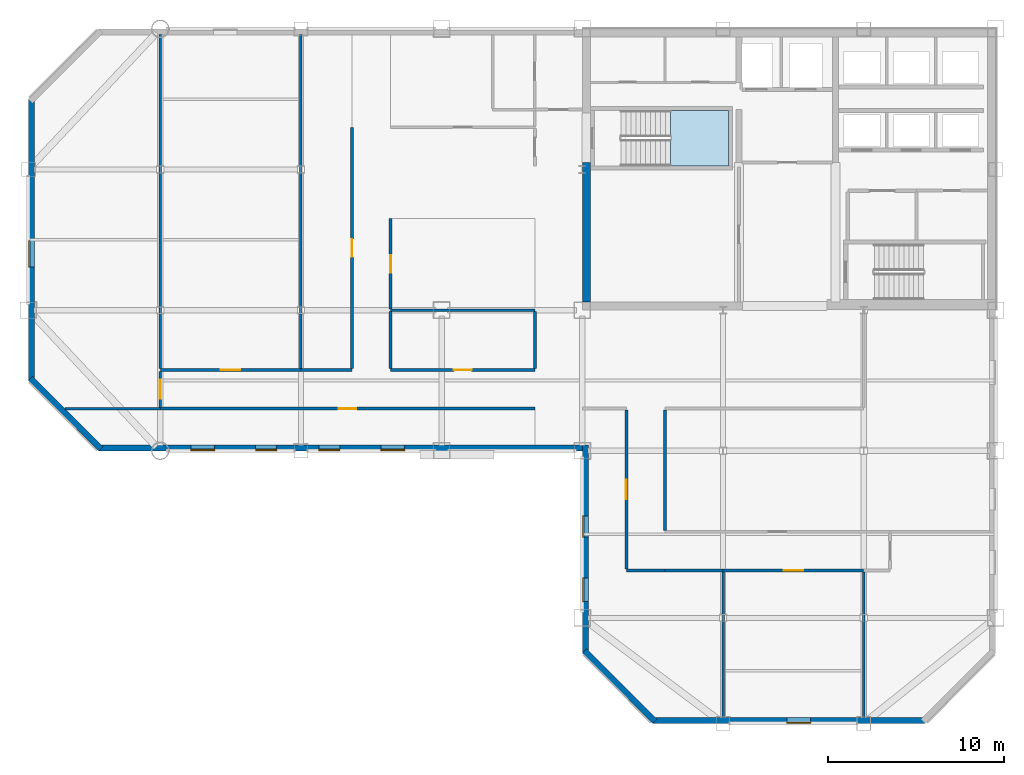
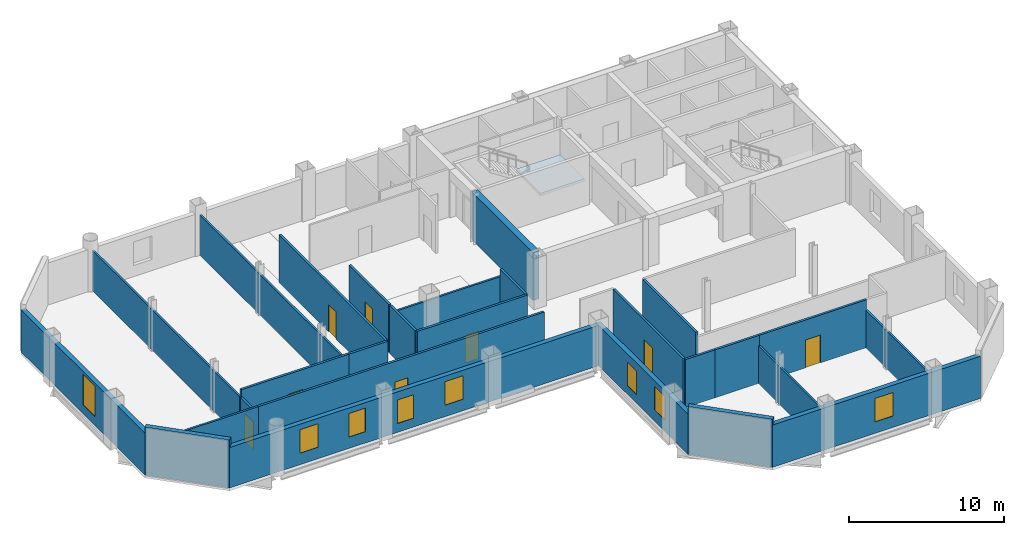
# One storey, part 4 of 10: 27 walls, 8 doors, 8 windows, 1 slab, 16 openings, 1 element without a shape of its own.
"""IFC4 building model written with IfcOpenShell, lengths in metres."""

from ifc_helpers import new_model, si_unit, direction, frame, frame_2d, origin, place, context, subcontext, project, spatial, polyline, rectangle, outline, extrude, material, layer, layer_set, type_object, element, fill, aggregate, save


model = new_model("IFC4")

# Units and contexts
model_context = context("Model", 3, precision=1e-05, world=origin(), true_north=direction((0.0, 1.0)))
body_context = subcontext(model_context, "Body", "Model", "MODEL_VIEW")
ifc_project = project(units=[si_unit("LENGTHUNIT", "METRE"), si_unit("AREAUNIT", "SQUARE_METRE"), si_unit("VOLUMEUNIT", "CUBIC_METRE"), si_unit("PLANEANGLEUNIT", "RADIAN"), si_unit("MASSUNIT", "GRAM", prefix="KILO")], contexts=[model_context])

# Site, building, storey
site_placement = place(None, origin())
site = spatial("IfcSite", under=ifc_project, at=site_placement, CompositionType="ELEMENT")
building_placement = place(site_placement, origin())
building = spatial("IfcBuilding", under=site, at=building_placement, Name="Qianrong Seaharbour Tower", CompositionType="ELEMENT")
storey_placement = place(building_placement, frame((0.0, 0.0, 217.800048828125)))
storey = spatial("IfcBuildingStorey", under=building, at=storey_placement, Name="L52", CompositionType="ELEMENT", Elevation=217.800048828125)

# Stair, slab
ifc_material_1 = material(Name="Concrete C50/60", Category="concrete")
stair_type = type_object("IfcStairType", Name="STAIR-DOGLEG-1500-R22", PredefinedType="HALF_TURN_STAIR", material=ifc_material_1)
stair_placement = place(storey_placement, origin())
stair = element("IfcStair", 1, at=stair_placement, inside=storey, type_object=stair_type, Name="L52 Protected Escape Stair ST-1", PredefinedType="HALF_TURN_STAIR")
ifc_layer_1 = layer(ifc_material_1, 0.199951171875)
ifc_layer_set_1 = layer_set([ifc_layer_1], Name="Concrete C50/60")
slab_type = type_object("IfcSlabType", Name="SLAB-STAIR-LANDING-200", PredefinedType="LANDING", material=ifc_layer_set_1)
slab_placement = place(storey_placement, frame((0.0, 0.0, 1.800048828125)))
slab = element("IfcSlab", 2, at=slab_placement, type_object=slab_type, Name="ST-1 landing 1", PredefinedType="LANDING", context=body_context, shape_type="SweptSolid", body=[
    extrude(outline(polyline([(45.5, 44.199951171875), (48.800048828125, 44.199951171875), (48.800048828125, 47.35009765625), (45.5, 47.35009765625), (45.5, 44.199951171875)])), origin(), (0.0, 0.0, 1.0), 0.199951171875),
])
aggregate(stair, [slab])

# Wall
ifc_material_2 = material(Name="Concrete C60/75", Category="concrete")
ifc_layer_2 = layer(ifc_material_2, 0.4599609375)
ifc_layer_set_2 = layer_set([ifc_layer_2], Name="Concrete C60/75")
wall_type_1 = type_object("IfcWallType", Name="WALL-CORE-460", PredefinedType="SHEAR", material=ifc_layer_set_2)
wall_1_placement = place(storey_placement, frame((40.72998046875, 36.4599609375, 0.0), z_axis=(0.0, 0.0, 1.0), x_axis=(0.0, 1.0, 0.0)))
element("IfcWall", 3, at=wall_1_placement, inside=storey, type_object=wall_type_1, Name="L52 West Core Shear Wall South", PredefinedType="SHEAR", context=body_context, shape_type="SweptSolid", body=[
    extrude(rectangle(XDim=7.93994140625, YDim=0.4599609375, at=frame_2d((3.969970703125, 0.0))), origin(), (0.0, 0.0, 1.0), 3.77490234375),
])

# Wall, opening, door
ifc_material_3 = material(Name="Fire-rated acoustic gypsum board partition")
ifc_layer_3 = layer(ifc_material_3, 0.1650390625)
ifc_layer_set_3 = layer_set([ifc_layer_3], Name="Fire-rated acoustic gypsum board partition")
wall_type_2 = type_object("IfcWallType", Name="WALL-CORR-PART-165", PredefinedType="PARTITIONING", material=ifc_layer_set_3)
wall_2_placement = place(storey_placement, frame((37.800048828125, 30.39990234375, 0.0), z_axis=(0.0, 0.0, 1.0), x_axis=(-1.0, 0.0, 0.0)))
wall_2 = element("IfcWall", 4, at=wall_2_placement, inside=storey, type_object=wall_type_2, Name="L52 Interior Partition Wall 016", PredefinedType="PARTITIONING", context=body_context, shape_type="SweptSolid", body=[
    extrude(rectangle(XDim=21.300048828125, YDim=0.1650390625, at=frame_2d((10.64990234375, 0.0))), origin(), (0.0, 0.0, 1.0), 3.77490234375),
])
opening_1_placement = place(wall_2_placement, frame((10.14990234375, 0.0, 0.0)))
opening_1 = element("IfcOpeningElement", 5, at=opening_1_placement, cuts=wall_2, Name="Opening DO-01", PredefinedType="OPENING", context=body_context, shape_type="SweptSolid", body=[
    extrude(rectangle(XDim=1.0, YDim=2.14990234375, at=frame_2d((0.5, 1.074951171875))), frame((0.0, 0.092529296875, 0.0), z_axis=(0.0, -1.0, 0.0), x_axis=(1.0, 0.0, 0.0)), (0.0, 0.0, 1.0), 0.18505859375),
])
ifc_material_4 = material(Name="Acoustic timber and galvanized steel fire door assembly", Category="steel")
door_type_1 = type_object("IfcDoorType", Name="DOOR-OFFICE-1000x2150", OperationType="NOTDEFINED", PredefinedType="DOOR", material=ifc_material_4)
door_1_placement = place(opening_1_placement, origin())
door_1 = element("IfcDoor", 6, at=door_1_placement, inside=storey, type_object=door_type_1, Name="L52 West Spine Open-Plan Office Door", OperationType="SINGLE_SWING_RIGHT", OverallHeight=2.14990234375, OverallWidth=1.0, PredefinedType="DOOR", context=body_context, shape_type="SweptSolid", body=[
    extrude(rectangle(XDim=1.0, YDim=2.14990234375, at=frame_2d((0.5, 1.074951171875))), frame((0.0, 0.02490234375, 0.0), z_axis=(0.0, -1.0, 0.0), x_axis=(1.0, 0.0, 0.0)), (0.0, 0.0, 1.0), 0.050048828125),
])
fill(opening_1, door_1)

wall_3_placement = place(storey_placement, frame((16.5, 30.474609375, 0.0), z_axis=(0.0, 0.0, 1.0), x_axis=(0.0, 1.0, 0.0)))
wall_3 = element("IfcWall", 7, at=wall_3_placement, inside=storey, type_object=wall_type_2, Name="L52 Interior Partition Wall 017", PredefinedType="PARTITIONING", context=body_context, shape_type="SweptSolid", body=[
    extrude(rectangle(XDim=2.05078125, YDim=0.1650390625, at=frame_2d((1.025390625, 0.0))), origin(), (0.0, 0.0, 1.0), 3.178955078125),
])
opening_2_placement = place(wall_3_placement, frame((0.4755859375, 0.0, 0.0)))
opening_2 = element("IfcOpeningElement", 8, at=opening_2_placement, cuts=wall_3, Name="Opening DM-01", PredefinedType="OPENING", context=body_context, shape_type="SweptSolid", body=[
    extrude(rectangle(XDim=1.10009765625, YDim=2.199951171875, at=frame_2d((0.550048828125, 1.10009765625))), frame((0.0, 0.092529296875, 0.0), z_axis=(0.0, -1.0, 0.0), x_axis=(1.0, 0.0, 0.0)), (0.0, 0.0, 1.0), 0.18505859375),
])
door_type_2 = type_object("IfcDoorType", Name="DOOR-MEET-1100x2200", OperationType="NOTDEFINED", PredefinedType="DOOR", material=ifc_material_4)
door_2_placement = place(opening_2_placement, origin())
door_2 = element("IfcDoor", 9, at=door_2_placement, inside=storey, type_object=door_type_2, Name="L52 Boardroom 1 Door", OperationType="SINGLE_SWING_LEFT", OverallHeight=2.199951171875, OverallWidth=1.10009765625, PredefinedType="DOOR", context=body_context, shape_type="SweptSolid", body=[
    extrude(rectangle(XDim=1.10009765625, YDim=2.199951171875, at=frame_2d((0.550048828125, 1.10009765625))), frame((0.0, 0.02490234375, 0.0), z_axis=(0.0, -1.0, 0.0), x_axis=(1.0, 0.0, 0.0)), (0.0, 0.0, 1.0), 0.050048828125),
])
fill(opening_2, door_2)

wall_4_placement = place(storey_placement, frame((16.5, 32.60009765625, 0.0), z_axis=(0.0, 0.0, 1.0), x_axis=(1.0, 0.0, 0.0)))
wall_4 = element("IfcWall", 10, at=wall_4_placement, inside=storey, type_object=wall_type_2, Name="L52 Interior Partition Wall 018", PredefinedType="PARTITIONING", context=body_context, shape_type="SweptSolid", body=[
    extrude(rectangle(XDim=8.0, YDim=0.1650390625, at=frame_2d((4.0, 0.0))), origin(), (0.0, 0.0, 1.0), 3.77490234375),
])
opening_3_placement = place(wall_4_placement, frame((3.449951171875, 0.0, 0.0)))
opening_3 = element("IfcOpeningElement", 11, at=opening_3_placement, cuts=wall_4, Name="Opening DM-01", PredefinedType="OPENING", context=body_context, shape_type="SweptSolid", body=[
    extrude(rectangle(XDim=1.10009765625, YDim=2.199951171875, at=frame_2d((0.550048828125, 1.10009765625))), frame((0.0, 0.092529296875, 0.0), z_axis=(0.0, -1.0, 0.0), x_axis=(1.0, 0.0, 0.0)), (0.0, 0.0, 1.0), 0.18505859375),
])
door_3_placement = place(opening_3_placement, origin())
door_3 = element("IfcDoor", 12, at=door_3_placement, inside=storey, type_object=door_type_2, Name="L52 Meeting Room 2 Door", OperationType="SINGLE_SWING_RIGHT", OverallHeight=2.199951171875, OverallWidth=1.10009765625, PredefinedType="DOOR", context=body_context, shape_type="SweptSolid", body=[
    extrude(rectangle(XDim=1.10009765625, YDim=2.199951171875, at=frame_2d((0.550048828125, 1.10009765625))), frame((0.0, 0.02490234375, 0.0), z_axis=(0.0, -1.0, 0.0), x_axis=(1.0, 0.0, 0.0)), (0.0, 0.0, 1.0), 0.050048828125),
])
fill(opening_3, door_3)

# Wall
wall_5_placement = place(storey_placement, frame((24.5, 32.60009765625, 0.0), z_axis=(0.0, 0.0, 1.0), x_axis=(1.0, 0.0, 0.0)))
element("IfcWall", 13, at=wall_5_placement, inside=storey, type_object=wall_type_2, Name="L52 Interior Partition Wall 019", PredefinedType="PARTITIONING", context=body_context, shape_type="SweptSolid", body=[
    extrude(rectangle(XDim=2.89990234375, YDim=0.1650390625, at=frame_2d((1.449951171875, 0.0))), origin(), (0.0, 0.0, 1.0), 3.77490234375),
])

# Wall, opening, door
wall_6_placement = place(storey_placement, frame((29.60009765625, 32.60009765625, 0.0), z_axis=(0.0, 0.0, 1.0), x_axis=(1.0, 0.0, 0.0)))
wall_6 = element("IfcWall", 14, at=wall_6_placement, inside=storey, type_object=wall_type_2, Name="L52 Interior Partition Wall 020", PredefinedType="PARTITIONING", context=body_context, shape_type="SweptSolid", body=[
    extrude(rectangle(XDim=8.199951171875, YDim=0.1650390625, at=frame_2d((4.10009765625, 0.0))), origin(), (0.0, 0.0, 1.0), 3.77490234375),
])
opening_4_placement = place(wall_6_placement, frame((3.60009765625, 0.0, 0.0)))
opening_4 = element("IfcOpeningElement", 15, at=opening_4_placement, cuts=wall_6, Name="Opening DO-01", PredefinedType="OPENING", context=body_context, shape_type="SweptSolid", body=[
    extrude(rectangle(XDim=1.0, YDim=2.14990234375, at=frame_2d((0.5, 1.074951171875))), frame((0.0, 0.092529296875, 0.0), z_axis=(0.0, -1.0, 0.0), x_axis=(1.0, 0.0, 0.0)), (0.0, 0.0, 1.0), 0.18505859375),
])
door_4_placement = place(opening_4_placement, origin())
door_4 = element("IfcDoor", 16, at=door_4_placement, inside=storey, type_object=door_type_1, Name="L52 Harbour Lecture Hall 1 Door", OperationType="SINGLE_SWING_RIGHT", OverallHeight=2.14990234375, OverallWidth=1.0, PredefinedType="DOOR", context=body_context, shape_type="SweptSolid", body=[
    extrude(rectangle(XDim=1.0, YDim=2.14990234375, at=frame_2d((0.5, 1.074951171875))), frame((0.0, 0.02490234375, 0.0), z_axis=(0.0, -1.0, 0.0), x_axis=(1.0, 0.0, 0.0)), (0.0, 0.0, 1.0), 0.050048828125),
])
fill(opening_4, door_4)

wall_7_placement = place(storey_placement, frame((27.39990234375, 32.674560546875, 0.0), z_axis=(0.0, 0.0, 1.0), x_axis=(0.0, 1.0, 0.0)))
wall_7 = element("IfcWall", 17, at=wall_7_placement, inside=storey, type_object=wall_type_2, Name="L52 Interior Partition Wall 021", PredefinedType="PARTITIONING", context=body_context, shape_type="SweptSolid", body=[
    extrude(rectangle(XDim=13.725341796875, YDim=0.1650390625, at=frame_2d((6.86279296875, 0.0))), origin(), (0.0, 0.0, 1.0), 3.77490234375),
])
opening_5_placement = place(wall_7_placement, frame((6.36279296875, 0.0, 0.0)))
opening_5 = element("IfcOpeningElement", 18, at=opening_5_placement, cuts=wall_7, Name="Opening DO-01", PredefinedType="OPENING", context=body_context, shape_type="SweptSolid", body=[
    extrude(rectangle(XDim=1.0, YDim=2.14990234375, at=frame_2d((0.5, 1.074951171875))), frame((0.0, 0.092529296875, 0.0), z_axis=(0.0, -1.0, 0.0), x_axis=(1.0, 0.0, 0.0)), (0.0, 0.0, 1.0), 0.18505859375),
])
door_5_placement = place(opening_5_placement, origin())
door_5 = element("IfcDoor", 19, at=door_5_placement, inside=storey, type_object=door_type_1, Name="L52 Project Library 3 Door", OperationType="SINGLE_SWING_LEFT", OverallHeight=2.14990234375, OverallWidth=1.0, PredefinedType="DOOR", context=body_context, shape_type="SweptSolid", body=[
    extrude(rectangle(XDim=1.0, YDim=2.14990234375, at=frame_2d((0.5, 1.074951171875))), frame((0.0, 0.02490234375, 0.0), z_axis=(0.0, -1.0, 0.0), x_axis=(1.0, 0.0, 0.0)), (0.0, 0.0, 1.0), 0.050048828125),
])
fill(opening_5, door_5)

# Wall
wall_8_placement = place(storey_placement, frame((29.60009765625, 35.935546875, 0.0), z_axis=(0.0, 0.0, 1.0), x_axis=(0.0, -1.0, 0.0)))
element("IfcWall", 20, at=wall_8_placement, inside=storey, type_object=wall_type_2, Name="L52 Interior Partition Wall 022", PredefinedType="PARTITIONING", context=body_context, shape_type="SweptSolid", body=[
    extrude(rectangle(XDim=3.260986328125, YDim=0.1650390625, at=frame_2d((1.63037109375, 0.0))), origin(), (0.0, 0.0, 1.0), 3.77490234375),
])

# Wall, opening, door
wall_9_placement = place(storey_placement, frame((29.60009765625, 41.199951171875, 0.0), z_axis=(0.0, 0.0, 1.0), x_axis=(0.0, -1.0, 0.0)))
wall_9 = element("IfcWall", 21, at=wall_9_placement, inside=storey, type_object=wall_type_2, Name="L52 Interior Partition Wall 023", PredefinedType="PARTITIONING", context=body_context, shape_type="SweptSolid", body=[
    extrude(rectangle(XDim=5.135498046875, YDim=0.1650390625, at=frame_2d((2.56787109375, 0.0))), origin(), (0.0, 0.0, 1.0), 3.77490234375),
])
opening_6_placement = place(wall_9_placement, frame((2.06787109375, 0.0, 0.0)))
opening_6 = element("IfcOpeningElement", 22, at=opening_6_placement, cuts=wall_9, Name="Opening DO-01", PredefinedType="OPENING", context=body_context, shape_type="SweptSolid", body=[
    extrude(rectangle(XDim=1.0, YDim=2.14990234375, at=frame_2d((0.5, 1.074951171875))), frame((0.0, 0.092529296875, 0.0), z_axis=(0.0, -1.0, 0.0), x_axis=(1.0, 0.0, 0.0)), (0.0, 0.0, 1.0), 0.18505859375),
])
door_6_placement = place(opening_6_placement, origin())
door_6 = element("IfcDoor", 23, at=door_6_placement, inside=storey, type_object=door_type_1, Name="L52 Division Conference Gallery 2 Door", OperationType="SINGLE_SWING_LEFT", OverallHeight=2.14990234375, OverallWidth=1.0, PredefinedType="DOOR", context=body_context, shape_type="SweptSolid", body=[
    extrude(rectangle(XDim=1.0, YDim=2.14990234375, at=frame_2d((0.5, 1.074951171875))), frame((0.0, 0.02490234375, 0.0), z_axis=(0.0, -1.0, 0.0), x_axis=(1.0, 0.0, 0.0)), (0.0, 0.0, 1.0), 0.050048828125),
])
fill(opening_6, door_6)

# Walls
wall_10_placement = place(storey_placement, frame((37.800048828125, 32.674560546875, 0.0), z_axis=(0.0, 0.0, 1.0), x_axis=(0.0, 1.0, 0.0)))
element("IfcWall", 24, at=wall_10_placement, inside=storey, type_object=wall_type_2, Name="L52 Interior Partition Wall 027", PredefinedType="PARTITIONING", context=body_context, shape_type="SweptSolid", body=[
    extrude(rectangle(XDim=3.260986328125, YDim=0.1650390625, at=frame_2d((1.63037109375, 0.0))), origin(), (0.0, 0.0, 1.0), 3.77490234375),
])
wall_11_placement = place(storey_placement, frame((45.199951171875, 30.325439453125, 0.0), z_axis=(0.0, 0.0, 1.0), x_axis=(0.0, -1.0, 0.0)))
element("IfcWall", 25, at=wall_11_placement, inside=storey, type_object=wall_type_2, Name="L52 Interior Partition Wall 029", PredefinedType="PARTITIONING", context=body_context, shape_type="SweptSolid", body=[
    extrude(rectangle(XDim=6.850830078125, YDim=0.1650390625, at=frame_2d((3.42529296875, 0.0))), origin(), (0.0, 0.0, 1.0), 3.77490234375),
])
wall_12_placement = place(storey_placement, frame((45.199951171875, 21.199951171875, 0.0), z_axis=(0.0, 0.0, 1.0), x_axis=(-1.0, 0.0, 0.0)))
element("IfcWall", 26, at=wall_12_placement, inside=storey, type_object=wall_type_2, Name="L52 Interior Partition Wall 030", PredefinedType="PARTITIONING", context=body_context, shape_type="SweptSolid", body=[
    extrude(rectangle(XDim=2.199951171875, YDim=0.1650390625, at=frame_2d((1.10009765625, 0.0))), origin(), (0.0, 0.0, 1.0), 3.77490234375),
])

# Wall, opening, door
wall_13_placement = place(storey_placement, frame((43.0, 21.2744140625, 0.0), z_axis=(0.0, 0.0, 1.0), x_axis=(0.0, 1.0, 0.0)))
wall_13 = element("IfcWall", 27, at=wall_13_placement, inside=storey, type_object=wall_type_2, Name="L52 Interior Partition Wall 031", PredefinedType="PARTITIONING", context=body_context, shape_type="SweptSolid", body=[
    extrude(rectangle(XDim=9.051025390625, YDim=0.1650390625, at=frame_2d((4.525390625, 0.0))), origin(), (0.0, 0.0, 1.0), 3.77490234375),
])
opening_7_placement = place(wall_13_placement, frame((3.9755859375, 0.0, 0.0)))
opening_7 = element("IfcOpeningElement", 28, at=opening_7_placement, cuts=wall_13, Name="Opening DM-01", PredefinedType="OPENING", context=body_context, shape_type="SweptSolid", body=[
    extrude(rectangle(XDim=1.10009765625, YDim=2.199951171875, at=frame_2d((0.550048828125, 1.10009765625))), frame((0.0, 0.092529296875, 0.0), z_axis=(0.0, -1.0, 0.0), x_axis=(1.0, 0.0, 0.0)), (0.0, 0.0, 1.0), 0.18505859375),
])
door_7_placement = place(opening_7_placement, origin())
door_7 = element("IfcDoor", 29, at=door_7_placement, inside=storey, type_object=door_type_2, Name="L52 Maritime Seminar Room 1 Door", OperationType="SINGLE_SWING_LEFT", OverallHeight=2.199951171875, OverallWidth=1.10009765625, PredefinedType="DOOR", context=body_context, shape_type="SweptSolid", body=[
    extrude(rectangle(XDim=1.10009765625, YDim=2.199951171875, at=frame_2d((0.550048828125, 1.10009765625))), frame((0.0, 0.02490234375, 0.0), z_axis=(0.0, -1.0, 0.0), x_axis=(1.0, 0.0, 0.0)), (0.0, 0.0, 1.0), 0.050048828125),
])
fill(opening_7, door_7)

# Wall
wall_14_placement = place(storey_placement, frame((48.5, 21.199951171875, 0.0), z_axis=(0.0, 0.0, 1.0), x_axis=(-1.0, 0.0, 0.0)))
element("IfcWall", 30, at=wall_14_placement, inside=storey, type_object=wall_type_2, Name="L52 Interior Partition Wall 033", PredefinedType="PARTITIONING", context=body_context, shape_type="SweptSolid", body=[
    extrude(rectangle(XDim=3.300048828125, YDim=0.1650390625, at=frame_2d((1.64990234375, 0.0))), origin(), (0.0, 0.0, 1.0), 3.77490234375),
])

# Wall, opening, door
wall_15_placement = place(storey_placement, frame((56.5, 21.199951171875, 0.0), z_axis=(0.0, 0.0, 1.0), x_axis=(-1.0, 0.0, 0.0)))
wall_15 = element("IfcWall", 31, at=wall_15_placement, inside=storey, type_object=wall_type_2, Name="L52 Interior Partition Wall 034", PredefinedType="PARTITIONING", context=body_context, shape_type="SweptSolid", body=[
    extrude(rectangle(XDim=8.0, YDim=0.1650390625, at=frame_2d((4.0, 0.0))), origin(), (0.0, 0.0, 1.0), 3.77490234375),
])
opening_8_placement = place(wall_15_placement, frame((3.449951171875, 0.0, 0.0)))
opening_8 = element("IfcOpeningElement", 32, at=opening_8_placement, cuts=wall_15, Name="Opening DM-01", PredefinedType="OPENING", context=body_context, shape_type="SweptSolid", body=[
    extrude(rectangle(XDim=1.10009765625, YDim=2.199951171875, at=frame_2d((0.550048828125, 1.10009765625))), frame((0.0, 0.092529296875, 0.0), z_axis=(0.0, -1.0, 0.0), x_axis=(1.0, 0.0, 0.0)), (0.0, 0.0, 1.0), 0.18505859375),
])
door_8_placement = place(opening_8_placement, origin())
door_8 = element("IfcDoor", 33, at=door_8_placement, inside=storey, type_object=door_type_2, Name="L52 Meeting Room 2 Door", OperationType="SINGLE_SWING_RIGHT", OverallHeight=2.199951171875, OverallWidth=1.10009765625, PredefinedType="DOOR", context=body_context, shape_type="SweptSolid", body=[
    extrude(rectangle(XDim=1.10009765625, YDim=2.199951171875, at=frame_2d((0.550048828125, 1.10009765625))), frame((0.0, 0.02490234375, 0.0), z_axis=(0.0, -1.0, 0.0), x_axis=(1.0, 0.0, 0.0)), (0.0, 0.0, 1.0), 0.050048828125),
])
fill(opening_8, door_8)

# Wall, openings, windows
ifc_material_5 = material(Name="Unitised buff brick on Precast concrete C45/55", Category="masonry")
ifc_layer_4 = layer(ifc_material_5, 0.340087890625)
ifc_layer_set_4 = layer_set([ifc_layer_4], Name="Unitised buff brick on Precast concrete C45/55")
wall_type_3 = type_object("IfcWallType", Name="WALL-EXT-BRICK-BUFF-340", PredefinedType="SOLIDWALL", material=ifc_layer_set_4)
wall_16_placement = place(storey_placement, frame((40.669921875, 16.5, 0.0), z_axis=(0.0, 0.0, 1.0), x_axis=(0.0, 1.0, 0.0)))
wall_16 = element("IfcWall", 34, at=wall_16_placement, inside=storey, type_object=wall_type_3, Name="L52 Exterior Masonry Facade Wall REENTRANT_WEST", PredefinedType="SOLIDWALL", context=body_context, shape_type="SweptSolid", body=[
    extrude(rectangle(XDim=11.840087890625, YDim=0.340087890625, at=frame_2d((5.919921875, 0.0))), origin(), (0.0, 0.0, 1.0), 3.18701171875),
])
opening_9_placement = place(wall_16_placement, frame((2.925048828125, 0.0, 0.89990234375)))
opening_9 = element("IfcOpeningElement", 35, at=opening_9_placement, cuts=wall_16, Name="Opening WN-02", PredefinedType="OPENING", context=body_context, shape_type="SweptSolid", body=[
    extrude(rectangle(XDim=1.35009765625, YDim=1.85009765625, at=frame_2d((0.675048828125, 0.925048828125))), frame((0.0, 0.18017578125, 0.0), z_axis=(0.0, -1.0, 0.0), x_axis=(1.0, 0.0, 0.0)), (0.0, 0.0, 1.0), 0.360107421875),
])
opening_10_placement = place(wall_16_placement, frame((6.60009765625, 0.0, 0.699951171875)))
opening_10 = element("IfcOpeningElement", 36, at=opening_10_placement, cuts=wall_16, Name="Opening WN-01", PredefinedType="OPENING", context=body_context, shape_type="SweptSolid", body=[
    extrude(rectangle(XDim=1.199951171875, YDim=1.85009765625, at=frame_2d((0.60009765625, 0.925048828125))), frame((0.0, 0.18017578125, 0.0), z_axis=(0.0, -1.0, 0.0), x_axis=(1.0, 0.0, 0.0)), (0.0, 0.0, 1.0), 0.360107421875),
])
ifc_material_6 = material(Name="Insulated low-e double glazing in thermally broken aluminium 6063-T6 frame", Category="aluminium")
window_type_1 = type_object("IfcWindowType", Name="WIN-PUNCH-1200x1850", PartitioningType="DOUBLE_PANEL_VERTICAL", PredefinedType="WINDOW", material=ifc_material_6)
window_1_placement = place(opening_10_placement, origin())
window_1 = element("IfcWindow", 37, at=window_1_placement, inside=storey, type_object=window_type_1, Name="L52 Deep-Set Punched Window 00.02", OverallHeight=1.85009765625, OverallWidth=1.199951171875, PartitioningType="DOUBLE_PANEL_VERTICAL", PredefinedType="WINDOW", context=body_context, shape_type="SweptSolid", body=[
    extrude(rectangle(XDim=1.199951171875, YDim=1.85009765625, at=frame_2d((0.60009765625, 0.925048828125))), frame((0.0, 0.150146484375, 0.0), z_axis=(0.0, -1.0, 0.0), x_axis=(1.0, 0.0, 0.0)), (0.0, 0.0, 1.0), 0.06005859375),
])
fill(opening_10, window_1)
window_type_2 = type_object("IfcWindowType", Name="WIN-PUNCH-1350x1850", PartitioningType="DOUBLE_PANEL_VERTICAL", PredefinedType="WINDOW", material=ifc_material_6)
window_2_placement = place(opening_9_placement, origin())
window_2 = element("IfcWindow", 38, at=window_2_placement, inside=storey, type_object=window_type_2, Name="L52 Deep-Set Punched Window 00.01", OverallHeight=1.85009765625, OverallWidth=1.35009765625, PartitioningType="DOUBLE_PANEL_VERTICAL", PredefinedType="WINDOW", context=body_context, shape_type="SweptSolid", body=[
    extrude(rectangle(XDim=1.35009765625, YDim=1.85009765625, at=frame_2d((0.675048828125, 0.925048828125))), frame((0.0, 0.150146484375, 0.0), z_axis=(0.0, -1.0, 0.0), x_axis=(1.0, 0.0, 0.0)), (0.0, 0.0, 1.0), 0.06005859375),
])
fill(opening_9, window_2)

wall_17_placement = place(storey_placement, frame((40.52001953125, 28.169921875, 0.0), z_axis=(0.0, 0.0, 1.0), x_axis=(-1.0, 0.0, 0.0)))
wall_17 = element("IfcWall", 39, at=wall_17_placement, inside=storey, type_object=wall_type_3, Name="L52 Exterior Masonry Facade Wall HARBOUR_RIBBON", PredefinedType="SOLIDWALL", context=body_context, shape_type="SweptSolid", body=[
    extrude(rectangle(XDim=27.52001953125, YDim=0.340087890625, at=frame_2d((13.760009765625, 0.0))), origin(), (0.0, 0.0, 1.0), 3.18701171875),
])
opening_11_placement = place(wall_17_placement, frame((10.125, 0.0, 0.89990234375)))
opening_11 = element("IfcOpeningElement", 40, at=opening_11_placement, cuts=wall_17, Name="Opening WN-02", PredefinedType="OPENING", context=body_context, shape_type="SweptSolid", body=[
    extrude(rectangle(XDim=1.35009765625, YDim=1.85009765625, at=frame_2d((0.675048828125, 0.925048828125))), frame((0.0, 0.18017578125, 0.0), z_axis=(0.0, -1.0, 0.0), x_axis=(1.0, 0.0, 0.0)), (0.0, 0.0, 1.0), 0.360107421875),
])
opening_12_placement = place(wall_17_placement, frame((13.800048828125, 0.0, 0.699951171875)))
opening_12 = element("IfcOpeningElement", 41, at=opening_12_placement, cuts=wall_17, Name="Opening WN-01", PredefinedType="OPENING", context=body_context, shape_type="SweptSolid", body=[
    extrude(rectangle(XDim=1.199951171875, YDim=1.85009765625, at=frame_2d((0.60009765625, 0.925048828125))), frame((0.0, 0.18017578125, 0.0), z_axis=(0.0, -1.0, 0.0), x_axis=(1.0, 0.0, 0.0)), (0.0, 0.0, 1.0), 0.360107421875),
])
opening_13_placement = place(wall_17_placement, frame((17.39990234375, 0.0, 0.89990234375)))
opening_13 = element("IfcOpeningElement", 42, at=opening_13_placement, cuts=wall_17, Name="Opening WN-01", PredefinedType="OPENING", context=body_context, shape_type="SweptSolid", body=[
    extrude(rectangle(XDim=1.199951171875, YDim=1.85009765625, at=frame_2d((0.60009765625, 0.925048828125))), frame((0.0, 0.18017578125, 0.0), z_axis=(0.0, -1.0, 0.0), x_axis=(1.0, 0.0, 0.0)), (0.0, 0.0, 1.0), 0.360107421875),
])
opening_14_placement = place(wall_17_placement, frame((20.925048828125, 0.0, 0.89990234375)))
opening_14 = element("IfcOpeningElement", 43, at=opening_14_placement, cuts=wall_17, Name="Opening WN-02", PredefinedType="OPENING", context=body_context, shape_type="SweptSolid", body=[
    extrude(rectangle(XDim=1.35009765625, YDim=1.85009765625, at=frame_2d((0.675048828125, 0.925048828125))), frame((0.0, 0.18017578125, 0.0), z_axis=(0.0, -1.0, 0.0), x_axis=(1.0, 0.0, 0.0)), (0.0, 0.0, 1.0), 0.360107421875),
])
window_3_placement = place(opening_12_placement, origin())
window_3 = element("IfcWindow", 44, at=window_3_placement, inside=storey, type_object=window_type_1, Name="L52 Deep-Set Punched Window 01.04", OverallHeight=1.85009765625, OverallWidth=1.199951171875, PartitioningType="DOUBLE_PANEL_VERTICAL", PredefinedType="WINDOW", context=body_context, shape_type="SweptSolid", body=[
    extrude(rectangle(XDim=1.199951171875, YDim=1.85009765625, at=frame_2d((0.60009765625, 0.925048828125))), frame((0.0, 0.150146484375, 0.0), z_axis=(0.0, -1.0, 0.0), x_axis=(1.0, 0.0, 0.0)), (0.0, 0.0, 1.0), 0.06005859375),
])
fill(opening_12, window_3)
window_4_placement = place(opening_13_placement, origin())
window_4 = element("IfcWindow", 45, at=window_4_placement, inside=storey, type_object=window_type_1, Name="L52 Deep-Set Punched Window 01.05", OverallHeight=1.85009765625, OverallWidth=1.199951171875, PartitioningType="DOUBLE_PANEL_VERTICAL", PredefinedType="WINDOW", context=body_context, shape_type="SweptSolid", body=[
    extrude(rectangle(XDim=1.199951171875, YDim=1.85009765625, at=frame_2d((0.60009765625, 0.925048828125))), frame((0.0, 0.150146484375, 0.0), z_axis=(0.0, -1.0, 0.0), x_axis=(1.0, 0.0, 0.0)), (0.0, 0.0, 1.0), 0.06005859375),
])
fill(opening_13, window_4)
window_5_placement = place(opening_11_placement, origin())
window_5 = element("IfcWindow", 46, at=window_5_placement, inside=storey, type_object=window_type_2, Name="L52 Deep-Set Punched Window 01.03", OverallHeight=1.85009765625, OverallWidth=1.35009765625, PartitioningType="DOUBLE_PANEL_VERTICAL", PredefinedType="WINDOW", context=body_context, shape_type="SweptSolid", body=[
    extrude(rectangle(XDim=1.35009765625, YDim=1.85009765625, at=frame_2d((0.675048828125, 0.925048828125))), frame((0.0, 0.150146484375, 0.0), z_axis=(0.0, -1.0, 0.0), x_axis=(1.0, 0.0, 0.0)), (0.0, 0.0, 1.0), 0.06005859375),
])
fill(opening_11, window_5)
window_6_placement = place(opening_14_placement, origin())
window_6 = element("IfcWindow", 47, at=window_6_placement, inside=storey, type_object=window_type_2, Name="L52 Deep-Set Punched Window 01.06", OverallHeight=1.85009765625, OverallWidth=1.35009765625, PartitioningType="DOUBLE_PANEL_VERTICAL", PredefinedType="WINDOW", context=body_context, shape_type="SweptSolid", body=[
    extrude(rectangle(XDim=1.35009765625, YDim=1.85009765625, at=frame_2d((0.675048828125, 0.925048828125))), frame((0.0, 0.150146484375, 0.0), z_axis=(0.0, -1.0, 0.0), x_axis=(1.0, 0.0, 0.0)), (0.0, 0.0, 1.0), 0.06005859375),
])
fill(opening_14, window_6)

# Wall
wall_18_placement = place(storey_placement, frame((13.1201171875, 28.1201171875, 0.0), z_axis=(0.0, 0.0, 1.0), x_axis=(-0.707106781187, 0.707106781187, 0.0)))
element("IfcWall", 48, at=wall_18_placement, inside=storey, type_object=wall_type_3, Name="L52 Exterior Masonry Facade Wall E02", PredefinedType="SOLIDWALL", context=body_context, shape_type="SweptSolid", body=[
    extrude(rectangle(XDim=5.65673828125, YDim=0.340087890625, at=frame_2d((2.828369140625, 0.0))), origin(), (0.0, 0.0, 1.0), 3.77490234375),
])

# Wall, opening, window
wall_19_placement = place(storey_placement, frame((9.169921875, 32.0, 0.0), z_axis=(0.0, 0.0, 1.0), x_axis=(0.0, 1.0, 0.0)))
wall_19 = element("IfcWall", 49, at=wall_19_placement, inside=storey, type_object=wall_type_3, Name="L52 Exterior Masonry Facade Wall WEST_TIP", PredefinedType="SOLIDWALL", context=body_context, shape_type="SweptSolid", body=[
    extrude(rectangle(XDim=16.0, YDim=0.340087890625, at=frame_2d((8.0, 0.0))), origin(), (0.0, 0.0, 1.0), 3.324951171875),
])
opening_15_placement = place(wall_19_placement, frame((6.449951171875, 0.0, 0.699951171875)))
opening_15 = element("IfcOpeningElement", 50, at=opening_15_placement, cuts=wall_19, Name="Opening WN-08", PredefinedType="OPENING", context=body_context, shape_type="SweptSolid", body=[
    extrude(rectangle(XDim=1.5, YDim=2.39990234375, at=frame_2d((0.75, 1.199951171875))), frame((0.0, 0.18017578125, 0.0), z_axis=(0.0, -1.0, 0.0), x_axis=(1.0, 0.0, 0.0)), (0.0, 0.0, 1.0), 0.360107421875),
])
window_type_3 = type_object("IfcWindowType", Name="WIN-PUNCH-1500x2400", PartitioningType="DOUBLE_PANEL_HORIZONTAL", PredefinedType="WINDOW", material=ifc_material_6)
window_7_placement = place(opening_15_placement, origin())
window_7 = element("IfcWindow", 51, at=window_7_placement, inside=storey, type_object=window_type_3, Name="L52 Deep-Set Punched Window 03.02", OverallHeight=2.39990234375, OverallWidth=1.5, PartitioningType="DOUBLE_PANEL_HORIZONTAL", PredefinedType="WINDOW", context=body_context, shape_type="SweptSolid", body=[
    extrude(rectangle(XDim=1.5, YDim=2.39990234375, at=frame_2d((0.75, 1.199951171875))), frame((0.0, 0.150146484375, 0.0), z_axis=(0.0, -1.0, 0.0), x_axis=(1.0, 0.0, 0.0)), (0.0, 0.0, 1.0), 0.06005859375),
])
fill(opening_15, window_7)

wall_20_placement = place(storey_placement, frame((60.0, 12.669921875, 0.0), z_axis=(0.0, 0.0, 1.0), x_axis=(-1.0, 0.0, 0.0)))
wall_20 = element("IfcWall", 52, at=wall_20_placement, inside=storey, type_object=wall_type_3, Name="L52 Exterior Masonry Facade Wall SOUTH_TIP", PredefinedType="SOLIDWALL", context=body_context, shape_type="SweptSolid", body=[
    extrude(rectangle(XDim=15.5, YDim=0.340087890625, at=frame_2d((7.75, 0.0))), origin(), (0.0, 0.0, 1.0), 3.324951171875),
])
opening_16_placement = place(wall_20_placement, frame((6.52490234375, 0.0, 0.89990234375)))
opening_16 = element("IfcOpeningElement", 53, at=opening_16_placement, cuts=wall_20, Name="Opening WN-02", PredefinedType="OPENING", context=body_context, shape_type="SweptSolid", body=[
    extrude(rectangle(XDim=1.35009765625, YDim=1.85009765625, at=frame_2d((0.675048828125, 0.925048828125))), frame((0.0, 0.18017578125, 0.0), z_axis=(0.0, -1.0, 0.0), x_axis=(1.0, 0.0, 0.0)), (0.0, 0.0, 1.0), 0.360107421875),
])
window_8_placement = place(opening_16_placement, origin())
window_8 = element("IfcWindow", 54, at=window_8_placement, inside=storey, type_object=window_type_2, Name="L52 Deep-Set Punched Window 08.02", OverallHeight=1.85009765625, OverallWidth=1.35009765625, PartitioningType="DOUBLE_PANEL_VERTICAL", PredefinedType="WINDOW", context=body_context, shape_type="SweptSolid", body=[
    extrude(rectangle(XDim=1.35009765625, YDim=1.85009765625, at=frame_2d((0.675048828125, 0.925048828125))), frame((0.0, 0.150146484375, 0.0), z_axis=(0.0, -1.0, 0.0), x_axis=(1.0, 0.0, 0.0)), (0.0, 0.0, 1.0), 0.06005859375),
])
fill(opening_16, window_8)

# Walls
wall_21_placement = place(storey_placement, frame((44.6201171875, 12.6201171875, 0.0), z_axis=(0.0, 0.0, 1.0), x_axis=(-0.707106781187, 0.707106781187, 0.0)))
element("IfcWall", 55, at=wall_21_placement, inside=storey, type_object=wall_type_3, Name="L52 Exterior Masonry Facade Wall E09", PredefinedType="SOLIDWALL", context=body_context, shape_type="SweptSolid", body=[
    extrude(rectangle(XDim=5.65673828125, YDim=0.340087890625, at=frame_2d((2.828369140625, 0.0))), origin(), (0.0, 0.0, 1.0), 3.77490234375),
])
ifc_material_7 = material(Name="Acoustic gypsum board stud partition")
ifc_layer_5 = layer(ifc_material_7, 0.14501953125)
ifc_layer_set_5 = layer_set([ifc_layer_5], Name="Acoustic gypsum board stud partition")
wall_type_4 = type_object("IfcWallType", Name="WALL-OFFICE-PART-145", PredefinedType="PARTITIONING", material=ifc_layer_set_5)
wall_22_placement = place(storey_placement, frame((11.069580078125, 30.39990234375, 0.0), z_axis=(0.0, 0.0, 1.0), x_axis=(1.0, 0.0, 0.0)))
element("IfcWall", 56, at=wall_22_placement, inside=storey, type_object=wall_type_4, Name="L52 Interior Partition Wall 038", PredefinedType="PARTITIONING", context=body_context, shape_type="SweptSolid", body=[
    extrude(rectangle(XDim=5.430419921875, YDim=0.14501953125, at=frame_2d((2.71533203125, 0.0))), origin(), (0.0, 0.0, 1.0), 3.77490234375),
])
for number, where, z_axis, x_axis, name in (
    (57, (16.5, 51.66796875, 0.0), (0.0, 0.0, 1.0), (0.0, -1.0, 0.0), "L52 Interior Partition Wall 039"),
    (58, (24.5, 51.66796875, 0.0), (0.0, 0.0, 1.0), (0.0, -1.0, 0.0), "L52 Interior Partition Wall 040"),
):
    element("IfcWall", number, at=place(storey_placement, frame(where, z_axis=z_axis, x_axis=x_axis)), inside=storey, type_object=wall_type_4, Name=name, PredefinedType="PARTITIONING", context=body_context, shape_type="SweptSolid", body=[
        extrude(rectangle(XDim=18.993408203125, YDim=0.14501953125, at=frame_2d((9.49658203125, 0.0))), origin(), (0.0, 0.0, 1.0), 3.178955078125),
    ])
wall_23_placement = place(storey_placement, frame((29.60009765625, 36.0, 0.0), z_axis=(0.0, 0.0, 1.0), x_axis=(1.0, 0.0, 0.0)))
element("IfcWall", 59, at=wall_23_placement, inside=storey, type_object=wall_type_4, Name="L52 Interior Partition Wall 041", PredefinedType="PARTITIONING", context=body_context, shape_type="SweptSolid", body=[
    extrude(rectangle(XDim=8.199951171875, YDim=0.14501953125, at=frame_2d((4.10009765625, 0.0))), origin(), (0.0, 0.0, 1.0), 3.178955078125),
])
for number, where, z_axis, x_axis, name in (
    (60, (48.5, 21.12548828125, 0.0), (0.0, 0.0, 1.0), (0.0, -1.0, 0.0), "L52 Interior Partition Wall 042"),
    (61, (56.5, 21.12548828125, 0.0), (0.0, 0.0, 1.0), (0.0, -1.0, 0.0), "L52 Interior Partition Wall 043"),
):
    element("IfcWall", number, at=place(storey_placement, frame(where, z_axis=z_axis, x_axis=x_axis)), inside=storey, type_object=wall_type_4, Name=name, PredefinedType="PARTITIONING", context=body_context, shape_type="SweptSolid", body=[
        extrude(rectangle(XDim=8.29345703125, YDim=0.14501953125, at=frame_2d((4.146728515625, 0.0))), origin(), (0.0, 0.0, 1.0), 2.967041015625),
    ])

save(model, "model.ifc")
